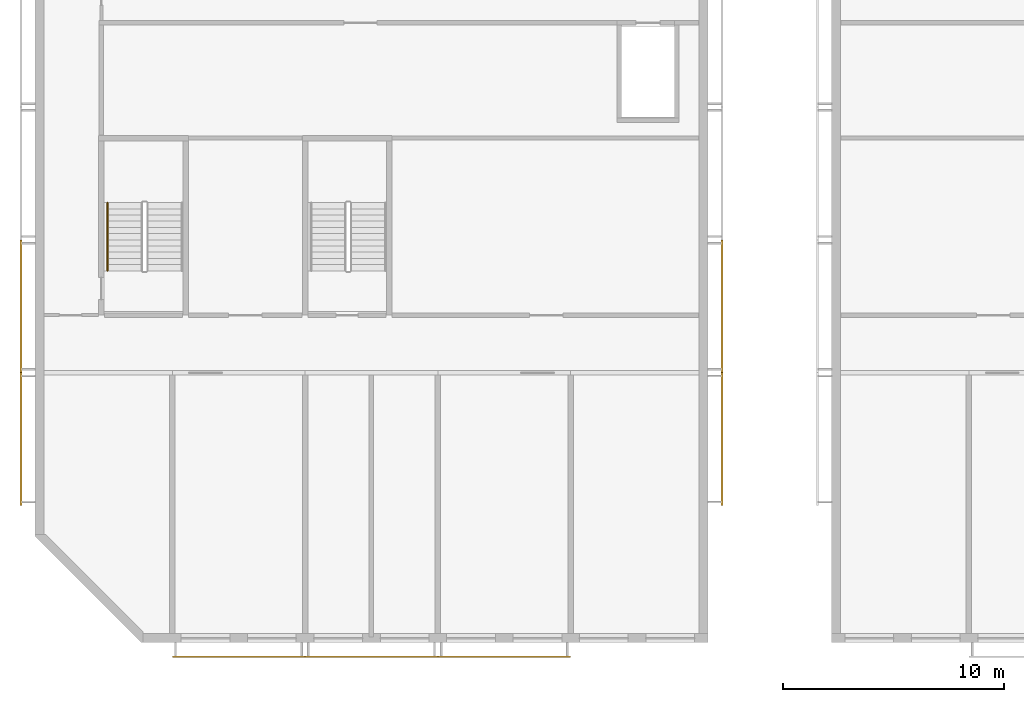
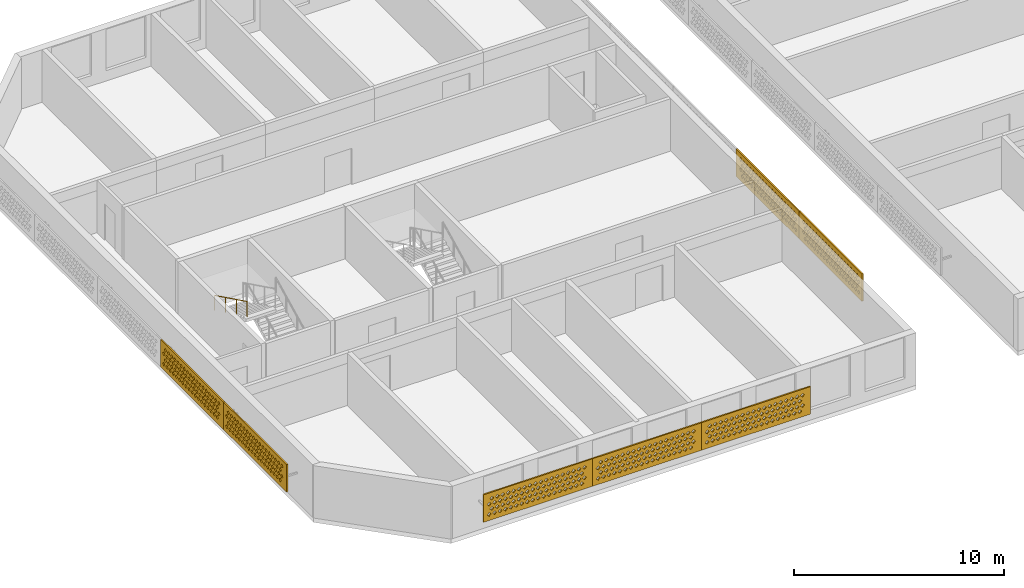
# One storey, part 7 of 18: 7 coverings, 1 railing.
"""IFC4 building model written with IfcOpenShell, lengths in metres."""

from ifc_helpers import new_model, si_unit, direction, frame, origin, origin_2d, place, context, subcontext, project, spatial, polyline, circle, outline, extrude, source, transform, mapped, material, material_profile, profile_set, type_object, element, save


model = new_model("IFC4")

# Units and contexts
model_context = context("Model", 3, precision=1e-05, world=origin(), true_north=direction((0.0, 1.0)))
body_context = subcontext(model_context, "Body", "Model", "MODEL_VIEW")
ifc_project = project(units=[si_unit("LENGTHUNIT", "METRE"), si_unit("AREAUNIT", "SQUARE_METRE"), si_unit("VOLUMEUNIT", "CUBIC_METRE"), si_unit("PLANEANGLEUNIT", "RADIAN"), si_unit("MASSUNIT", "GRAM", prefix="KILO")], contexts=[model_context])

# Site, building, storey
site_placement = place(None, origin())
site = spatial("IfcSite", under=ifc_project, at=site_placement, CompositionType="ELEMENT")
building_placement = place(site_placement, origin())
building = spatial("IfcBuilding", under=site, at=building_placement, Name="Poui Terraces", CompositionType="ELEMENT")
storey_placement = place(building_placement, frame((0.0, 0.0, 275.699951171875)))
storey = spatial("IfcBuildingStorey", under=building, at=storey_placement, Name="L76 CROWN", CompositionType="ELEMENT", Elevation=275.699951171875)

# Railing
ifc_material_1 = material(Name="Stainless steel handrail", Category="steel")
railing_type = type_object("IfcRailingType", Name="STAIR HANDRAIL 900", PredefinedType="HANDRAIL", material=ifc_material_1)
railing_placement = place(storey_placement, frame((21.074951171875, 19.679931640625, 1.78759765625)))
element("IfcRailing", 1, at=railing_placement, inside=storey, type_object=railing_type, Name="L76 CROWN ST-W stair handrail 2", PredefinedType="HANDRAIL", context=body_context, shape_type="SweptSolid", body=[
    extrude(circle(Radius=0.02392578125, at=origin_2d()), frame((0.0, 0.0, 0.8759765625), z_axis=(0.0, -0.897606190399, 0.440798283751), x_axis=(1.0, 0.0, 0.0)), (0.0, 0.0, 1.0), 3.43115234375),
    extrude(circle(Radius=0.02099609375, at=origin_2d()), origin(), (0.0, 0.0, 1.0), 0.851806640625),
    extrude(circle(Radius=0.02099609375, at=origin_2d()), frame((0.0, -1.026611328125, 0.504150390625)), (0.0, 0.0, 1.0), 0.851806640625),
    extrude(circle(Radius=0.02099609375, at=origin_2d()), frame((0.0, -2.05322265625, 1.00830078125)), (0.0, 0.0, 1.0), 0.851806640625),
    extrude(circle(Radius=0.02099609375, at=origin_2d()), frame((0.0, -3.079833984375, 1.512451171875)), (0.0, 0.0, 1.0), 0.851806640625),
])

# Coverings
ifc_material_2 = material(Name="Terracotta screen", Category="masonry")
ifc_material_profile = material_profile(ifc_material_2, outline(polyline([(-3.0, -0.800048828125), (3.0, -0.800048828125), (3.0, 0.800048828125), (-3.0, 0.800048828125), (-3.0, -0.800048828125)]), holes=[polyline([(-2.800048828125, -0.449951171875), (-2.68994140625, -0.56005859375), (-2.580078125, -0.449951171875), (-2.68994140625, -0.340087890625), (-2.800048828125, -0.449951171875)]), polyline([(-2.5, -0.449951171875), (-2.389892578125, -0.56005859375), (-2.280029296875, -0.449951171875), (-2.389892578125, -0.340087890625), (-2.5, -0.449951171875)]), polyline([(-2.199951171875, -0.449951171875), (-2.090087890625, -0.56005859375), (-1.97998046875, -0.449951171875), (-2.090087890625, -0.340087890625), (-2.199951171875, -0.449951171875)]), polyline([(-1.89990234375, -0.449951171875), (-1.7900390625, -0.56005859375), (-1.679931640625, -0.449951171875), (-1.7900390625, -0.340087890625), (-1.89990234375, -0.449951171875)]), polyline([(-1.60009765625, -0.449951171875), (-1.489990234375, -0.56005859375), (-1.3798828125, -0.449951171875), (-1.489990234375, -0.340087890625), (-1.60009765625, -0.449951171875)]), polyline([(-1.300048828125, -0.449951171875), (-1.18994140625, -0.56005859375), (-1.080078125, -0.449951171875), (-1.18994140625, -0.340087890625), (-1.300048828125, -0.449951171875)]), polyline([(-1.0, -0.449951171875), (-0.889892578125, -0.56005859375), (-0.780029296875, -0.449951171875), (-0.889892578125, -0.340087890625), (-1.0, -0.449951171875)]), polyline([(-0.699951171875, -0.449951171875), (-0.590087890625, -0.56005859375), (-0.47998046875, -0.449951171875), (-0.590087890625, -0.340087890625), (-0.699951171875, -0.449951171875)]), polyline([(-0.39990234375, -0.449951171875), (-0.2900390625, -0.56005859375), (-0.179931640625, -0.449951171875), (-0.2900390625, -0.340087890625), (-0.39990234375, -0.449951171875)]), polyline([(-0.10009765625, -0.449951171875), (0.010009765625, -0.56005859375), (0.1201171875, -0.449951171875), (0.010009765625, -0.340087890625), (-0.10009765625, -0.449951171875)]), polyline([(0.199951171875, -0.449951171875), (0.31005859375, -0.56005859375), (0.419921875, -0.449951171875), (0.31005859375, -0.340087890625), (0.199951171875, -0.449951171875)]), polyline([(0.5, -0.449951171875), (0.610107421875, -0.56005859375), (0.719970703125, -0.449951171875), (0.610107421875, -0.340087890625), (0.5, -0.449951171875)]), polyline([(0.800048828125, -0.449951171875), (0.909912109375, -0.56005859375), (1.02001953125, -0.449951171875), (0.909912109375, -0.340087890625), (0.800048828125, -0.449951171875)]), polyline([(1.10009765625, -0.449951171875), (1.2099609375, -0.56005859375), (1.320068359375, -0.449951171875), (1.2099609375, -0.340087890625), (1.10009765625, -0.449951171875)]), polyline([(1.39990234375, -0.449951171875), (1.510009765625, -0.56005859375), (1.6201171875, -0.449951171875), (1.510009765625, -0.340087890625), (1.39990234375, -0.449951171875)]), polyline([(1.699951171875, -0.449951171875), (1.81005859375, -0.56005859375), (1.919921875, -0.449951171875), (1.81005859375, -0.340087890625), (1.699951171875, -0.449951171875)]), polyline([(2.0, -0.449951171875), (2.110107421875, -0.56005859375), (2.219970703125, -0.449951171875), (2.110107421875, -0.340087890625), (2.0, -0.449951171875)]), polyline([(2.300048828125, -0.449951171875), (2.409912109375, -0.56005859375), (2.52001953125, -0.449951171875), (2.409912109375, -0.340087890625), (2.300048828125, -0.449951171875)]), polyline([(-2.64990234375, -0.14990234375), (-2.5400390625, -0.260009765625), (-2.429931640625, -0.14990234375), (-2.5400390625, -0.0400390625), (-2.64990234375, -0.14990234375)]), polyline([(-2.35009765625, -0.14990234375), (-2.239990234375, -0.260009765625), (-2.1298828125, -0.14990234375), (-2.239990234375, -0.0400390625), (-2.35009765625, -0.14990234375)]), polyline([(-2.050048828125, -0.14990234375), (-1.93994140625, -0.260009765625), (-1.830078125, -0.14990234375), (-1.93994140625, -0.0400390625), (-2.050048828125, -0.14990234375)]), polyline([(-1.75, -0.14990234375), (-1.639892578125, -0.260009765625), (-1.530029296875, -0.14990234375), (-1.639892578125, -0.0400390625), (-1.75, -0.14990234375)]), polyline([(-1.449951171875, -0.14990234375), (-1.340087890625, -0.260009765625), (-1.22998046875, -0.14990234375), (-1.340087890625, -0.0400390625), (-1.449951171875, -0.14990234375)]), polyline([(-1.14990234375, -0.14990234375), (-1.0400390625, -0.260009765625), (-0.929931640625, -0.14990234375), (-1.0400390625, -0.0400390625), (-1.14990234375, -0.14990234375)]), polyline([(-0.85009765625, -0.14990234375), (-0.739990234375, -0.260009765625), (-0.6298828125, -0.14990234375), (-0.739990234375, -0.0400390625), (-0.85009765625, -0.14990234375)]), polyline([(-0.550048828125, -0.14990234375), (-0.43994140625, -0.260009765625), (-0.330078125, -0.14990234375), (-0.43994140625, -0.0400390625), (-0.550048828125, -0.14990234375)]), polyline([(-0.25, -0.14990234375), (-0.139892578125, -0.260009765625), (-0.030029296875, -0.14990234375), (-0.139892578125, -0.0400390625), (-0.25, -0.14990234375)]), polyline([(0.050048828125, -0.14990234375), (0.159912109375, -0.260009765625), (0.27001953125, -0.14990234375), (0.159912109375, -0.0400390625), (0.050048828125, -0.14990234375)]), polyline([(0.35009765625, -0.14990234375), (0.4599609375, -0.260009765625), (0.570068359375, -0.14990234375), (0.4599609375, -0.0400390625), (0.35009765625, -0.14990234375)]), polyline([(0.64990234375, -0.14990234375), (0.760009765625, -0.260009765625), (0.8701171875, -0.14990234375), (0.760009765625, -0.0400390625), (0.64990234375, -0.14990234375)]), polyline([(0.949951171875, -0.14990234375), (1.06005859375, -0.260009765625), (1.169921875, -0.14990234375), (1.06005859375, -0.0400390625), (0.949951171875, -0.14990234375)]), polyline([(1.25, -0.14990234375), (1.360107421875, -0.260009765625), (1.469970703125, -0.14990234375), (1.360107421875, -0.0400390625), (1.25, -0.14990234375)]), polyline([(1.550048828125, -0.14990234375), (1.659912109375, -0.260009765625), (1.77001953125, -0.14990234375), (1.659912109375, -0.0400390625), (1.550048828125, -0.14990234375)]), polyline([(1.85009765625, -0.14990234375), (1.9599609375, -0.260009765625), (2.070068359375, -0.14990234375), (1.9599609375, -0.0400390625), (1.85009765625, -0.14990234375)]), polyline([(2.14990234375, -0.14990234375), (2.260009765625, -0.260009765625), (2.3701171875, -0.14990234375), (2.260009765625, -0.0400390625), (2.14990234375, -0.14990234375)]), polyline([(2.449951171875, -0.14990234375), (2.56005859375, -0.260009765625), (2.669921875, -0.14990234375), (2.56005859375, -0.0400390625), (2.449951171875, -0.14990234375)]), polyline([(-2.800048828125, 0.14990234375), (-2.68994140625, 0.0400390625), (-2.580078125, 0.14990234375), (-2.68994140625, 0.260009765625), (-2.800048828125, 0.14990234375)]), polyline([(-2.5, 0.14990234375), (-2.389892578125, 0.0400390625), (-2.280029296875, 0.14990234375), (-2.389892578125, 0.260009765625), (-2.5, 0.14990234375)]), polyline([(-2.199951171875, 0.14990234375), (-2.090087890625, 0.0400390625), (-1.97998046875, 0.14990234375), (-2.090087890625, 0.260009765625), (-2.199951171875, 0.14990234375)]), polyline([(-1.89990234375, 0.14990234375), (-1.7900390625, 0.0400390625), (-1.679931640625, 0.14990234375), (-1.7900390625, 0.260009765625), (-1.89990234375, 0.14990234375)]), polyline([(-1.60009765625, 0.14990234375), (-1.489990234375, 0.0400390625), (-1.3798828125, 0.14990234375), (-1.489990234375, 0.260009765625), (-1.60009765625, 0.14990234375)]), polyline([(-1.300048828125, 0.14990234375), (-1.18994140625, 0.0400390625), (-1.080078125, 0.14990234375), (-1.18994140625, 0.260009765625), (-1.300048828125, 0.14990234375)]), polyline([(-1.0, 0.14990234375), (-0.889892578125, 0.0400390625), (-0.780029296875, 0.14990234375), (-0.889892578125, 0.260009765625), (-1.0, 0.14990234375)]), polyline([(-0.699951171875, 0.14990234375), (-0.590087890625, 0.0400390625), (-0.47998046875, 0.14990234375), (-0.590087890625, 0.260009765625), (-0.699951171875, 0.14990234375)]), polyline([(-0.39990234375, 0.14990234375), (-0.2900390625, 0.0400390625), (-0.179931640625, 0.14990234375), (-0.2900390625, 0.260009765625), (-0.39990234375, 0.14990234375)]), polyline([(-0.10009765625, 0.14990234375), (0.010009765625, 0.0400390625), (0.1201171875, 0.14990234375), (0.010009765625, 0.260009765625), (-0.10009765625, 0.14990234375)]), polyline([(0.199951171875, 0.14990234375), (0.31005859375, 0.0400390625), (0.419921875, 0.14990234375), (0.31005859375, 0.260009765625), (0.199951171875, 0.14990234375)]), polyline([(0.5, 0.14990234375), (0.610107421875, 0.0400390625), (0.719970703125, 0.14990234375), (0.610107421875, 0.260009765625), (0.5, 0.14990234375)]), polyline([(0.800048828125, 0.14990234375), (0.909912109375, 0.0400390625), (1.02001953125, 0.14990234375), (0.909912109375, 0.260009765625), (0.800048828125, 0.14990234375)]), polyline([(1.10009765625, 0.14990234375), (1.2099609375, 0.0400390625), (1.320068359375, 0.14990234375), (1.2099609375, 0.260009765625), (1.10009765625, 0.14990234375)]), polyline([(1.39990234375, 0.14990234375), (1.510009765625, 0.0400390625), (1.6201171875, 0.14990234375), (1.510009765625, 0.260009765625), (1.39990234375, 0.14990234375)]), polyline([(1.699951171875, 0.14990234375), (1.81005859375, 0.0400390625), (1.919921875, 0.14990234375), (1.81005859375, 0.260009765625), (1.699951171875, 0.14990234375)]), polyline([(2.0, 0.14990234375), (2.110107421875, 0.0400390625), (2.219970703125, 0.14990234375), (2.110107421875, 0.260009765625), (2.0, 0.14990234375)]), polyline([(2.300048828125, 0.14990234375), (2.409912109375, 0.0400390625), (2.52001953125, 0.14990234375), (2.409912109375, 0.260009765625), (2.300048828125, 0.14990234375)]), polyline([(-2.64990234375, 0.449951171875), (-2.5400390625, 0.340087890625), (-2.429931640625, 0.449951171875), (-2.5400390625, 0.56005859375), (-2.64990234375, 0.449951171875)]), polyline([(-2.35009765625, 0.449951171875), (-2.239990234375, 0.340087890625), (-2.1298828125, 0.449951171875), (-2.239990234375, 0.56005859375), (-2.35009765625, 0.449951171875)]), polyline([(-2.050048828125, 0.449951171875), (-1.93994140625, 0.340087890625), (-1.830078125, 0.449951171875), (-1.93994140625, 0.56005859375), (-2.050048828125, 0.449951171875)]), polyline([(-1.75, 0.449951171875), (-1.639892578125, 0.340087890625), (-1.530029296875, 0.449951171875), (-1.639892578125, 0.56005859375), (-1.75, 0.449951171875)]), polyline([(-1.449951171875, 0.449951171875), (-1.340087890625, 0.340087890625), (-1.22998046875, 0.449951171875), (-1.340087890625, 0.56005859375), (-1.449951171875, 0.449951171875)]), polyline([(-1.14990234375, 0.449951171875), (-1.0400390625, 0.340087890625), (-0.929931640625, 0.449951171875), (-1.0400390625, 0.56005859375), (-1.14990234375, 0.449951171875)]), polyline([(-0.85009765625, 0.449951171875), (-0.739990234375, 0.340087890625), (-0.6298828125, 0.449951171875), (-0.739990234375, 0.56005859375), (-0.85009765625, 0.449951171875)]), polyline([(-0.550048828125, 0.449951171875), (-0.43994140625, 0.340087890625), (-0.330078125, 0.449951171875), (-0.43994140625, 0.56005859375), (-0.550048828125, 0.449951171875)]), polyline([(-0.25, 0.449951171875), (-0.139892578125, 0.340087890625), (-0.030029296875, 0.449951171875), (-0.139892578125, 0.56005859375), (-0.25, 0.449951171875)]), polyline([(0.050048828125, 0.449951171875), (0.159912109375, 0.340087890625), (0.27001953125, 0.449951171875), (0.159912109375, 0.56005859375), (0.050048828125, 0.449951171875)]), polyline([(0.35009765625, 0.449951171875), (0.4599609375, 0.340087890625), (0.570068359375, 0.449951171875), (0.4599609375, 0.56005859375), (0.35009765625, 0.449951171875)]), polyline([(0.64990234375, 0.449951171875), (0.760009765625, 0.340087890625), (0.8701171875, 0.449951171875), (0.760009765625, 0.56005859375), (0.64990234375, 0.449951171875)]), polyline([(0.949951171875, 0.449951171875), (1.06005859375, 0.340087890625), (1.169921875, 0.449951171875), (1.06005859375, 0.56005859375), (0.949951171875, 0.449951171875)]), polyline([(1.25, 0.449951171875), (1.360107421875, 0.340087890625), (1.469970703125, 0.449951171875), (1.360107421875, 0.56005859375), (1.25, 0.449951171875)]), polyline([(1.550048828125, 0.449951171875), (1.659912109375, 0.340087890625), (1.77001953125, 0.449951171875), (1.659912109375, 0.56005859375), (1.550048828125, 0.449951171875)]), polyline([(1.85009765625, 0.449951171875), (1.9599609375, 0.340087890625), (2.070068359375, 0.449951171875), (1.9599609375, 0.56005859375), (1.85009765625, 0.449951171875)]), polyline([(2.14990234375, 0.449951171875), (2.260009765625, 0.340087890625), (2.3701171875, 0.449951171875), (2.260009765625, 0.56005859375), (2.14990234375, 0.449951171875)]), polyline([(2.449951171875, 0.449951171875), (2.56005859375, 0.340087890625), (2.669921875, 0.449951171875), (2.56005859375, 0.56005859375), (2.449951171875, 0.449951171875)])]), Name="TERRACOTTA SOLAR SCREEN 6000X1600")
ifc_profile_set = profile_set([ifc_material_profile], Name="Terracotta screen")
covering_type = type_object("IfcCoveringType", Name="TERRACOTTA SOLAR SCREEN 6000X1600", PredefinedType="CLADDING", material=ifc_profile_set)
shared_shape = source(origin(), body_context, "Body", "SweptSolid", [
    extrude(outline(polyline([(-3.0, -0.800048828125), (3.0, -0.800048828125), (3.0, 0.800048828125), (-3.0, 0.800048828125), (-3.0, -0.800048828125)]), holes=[polyline([(-2.800048828125, -0.449951171875), (-2.68994140625, -0.56005859375), (-2.580078125, -0.449951171875), (-2.68994140625, -0.340087890625), (-2.800048828125, -0.449951171875)]), polyline([(-2.5, -0.449951171875), (-2.389892578125, -0.56005859375), (-2.280029296875, -0.449951171875), (-2.389892578125, -0.340087890625), (-2.5, -0.449951171875)]), polyline([(-2.199951171875, -0.449951171875), (-2.090087890625, -0.56005859375), (-1.97998046875, -0.449951171875), (-2.090087890625, -0.340087890625), (-2.199951171875, -0.449951171875)]), polyline([(-1.89990234375, -0.449951171875), (-1.7900390625, -0.56005859375), (-1.679931640625, -0.449951171875), (-1.7900390625, -0.340087890625), (-1.89990234375, -0.449951171875)]), polyline([(-1.60009765625, -0.449951171875), (-1.489990234375, -0.56005859375), (-1.3798828125, -0.449951171875), (-1.489990234375, -0.340087890625), (-1.60009765625, -0.449951171875)]), polyline([(-1.300048828125, -0.449951171875), (-1.18994140625, -0.56005859375), (-1.080078125, -0.449951171875), (-1.18994140625, -0.340087890625), (-1.300048828125, -0.449951171875)]), polyline([(-1.0, -0.449951171875), (-0.889892578125, -0.56005859375), (-0.780029296875, -0.449951171875), (-0.889892578125, -0.340087890625), (-1.0, -0.449951171875)]), polyline([(-0.699951171875, -0.449951171875), (-0.590087890625, -0.56005859375), (-0.47998046875, -0.449951171875), (-0.590087890625, -0.340087890625), (-0.699951171875, -0.449951171875)]), polyline([(-0.39990234375, -0.449951171875), (-0.2900390625, -0.56005859375), (-0.179931640625, -0.449951171875), (-0.2900390625, -0.340087890625), (-0.39990234375, -0.449951171875)]), polyline([(-0.10009765625, -0.449951171875), (0.010009765625, -0.56005859375), (0.1201171875, -0.449951171875), (0.010009765625, -0.340087890625), (-0.10009765625, -0.449951171875)]), polyline([(0.199951171875, -0.449951171875), (0.31005859375, -0.56005859375), (0.419921875, -0.449951171875), (0.31005859375, -0.340087890625), (0.199951171875, -0.449951171875)]), polyline([(0.5, -0.449951171875), (0.610107421875, -0.56005859375), (0.719970703125, -0.449951171875), (0.610107421875, -0.340087890625), (0.5, -0.449951171875)]), polyline([(0.800048828125, -0.449951171875), (0.909912109375, -0.56005859375), (1.02001953125, -0.449951171875), (0.909912109375, -0.340087890625), (0.800048828125, -0.449951171875)]), polyline([(1.10009765625, -0.449951171875), (1.2099609375, -0.56005859375), (1.320068359375, -0.449951171875), (1.2099609375, -0.340087890625), (1.10009765625, -0.449951171875)]), polyline([(1.39990234375, -0.449951171875), (1.510009765625, -0.56005859375), (1.6201171875, -0.449951171875), (1.510009765625, -0.340087890625), (1.39990234375, -0.449951171875)]), polyline([(1.699951171875, -0.449951171875), (1.81005859375, -0.56005859375), (1.919921875, -0.449951171875), (1.81005859375, -0.340087890625), (1.699951171875, -0.449951171875)]), polyline([(2.0, -0.449951171875), (2.110107421875, -0.56005859375), (2.219970703125, -0.449951171875), (2.110107421875, -0.340087890625), (2.0, -0.449951171875)]), polyline([(2.300048828125, -0.449951171875), (2.409912109375, -0.56005859375), (2.52001953125, -0.449951171875), (2.409912109375, -0.340087890625), (2.300048828125, -0.449951171875)]), polyline([(-2.64990234375, -0.14990234375), (-2.5400390625, -0.260009765625), (-2.429931640625, -0.14990234375), (-2.5400390625, -0.0400390625), (-2.64990234375, -0.14990234375)]), polyline([(-2.35009765625, -0.14990234375), (-2.239990234375, -0.260009765625), (-2.1298828125, -0.14990234375), (-2.239990234375, -0.0400390625), (-2.35009765625, -0.14990234375)]), polyline([(-2.050048828125, -0.14990234375), (-1.93994140625, -0.260009765625), (-1.830078125, -0.14990234375), (-1.93994140625, -0.0400390625), (-2.050048828125, -0.14990234375)]), polyline([(-1.75, -0.14990234375), (-1.639892578125, -0.260009765625), (-1.530029296875, -0.14990234375), (-1.639892578125, -0.0400390625), (-1.75, -0.14990234375)]), polyline([(-1.449951171875, -0.14990234375), (-1.340087890625, -0.260009765625), (-1.22998046875, -0.14990234375), (-1.340087890625, -0.0400390625), (-1.449951171875, -0.14990234375)]), polyline([(-1.14990234375, -0.14990234375), (-1.0400390625, -0.260009765625), (-0.929931640625, -0.14990234375), (-1.0400390625, -0.0400390625), (-1.14990234375, -0.14990234375)]), polyline([(-0.85009765625, -0.14990234375), (-0.739990234375, -0.260009765625), (-0.6298828125, -0.14990234375), (-0.739990234375, -0.0400390625), (-0.85009765625, -0.14990234375)]), polyline([(-0.550048828125, -0.14990234375), (-0.43994140625, -0.260009765625), (-0.330078125, -0.14990234375), (-0.43994140625, -0.0400390625), (-0.550048828125, -0.14990234375)]), polyline([(-0.25, -0.14990234375), (-0.139892578125, -0.260009765625), (-0.030029296875, -0.14990234375), (-0.139892578125, -0.0400390625), (-0.25, -0.14990234375)]), polyline([(0.050048828125, -0.14990234375), (0.159912109375, -0.260009765625), (0.27001953125, -0.14990234375), (0.159912109375, -0.0400390625), (0.050048828125, -0.14990234375)]), polyline([(0.35009765625, -0.14990234375), (0.4599609375, -0.260009765625), (0.570068359375, -0.14990234375), (0.4599609375, -0.0400390625), (0.35009765625, -0.14990234375)]), polyline([(0.64990234375, -0.14990234375), (0.760009765625, -0.260009765625), (0.8701171875, -0.14990234375), (0.760009765625, -0.0400390625), (0.64990234375, -0.14990234375)]), polyline([(0.949951171875, -0.14990234375), (1.06005859375, -0.260009765625), (1.169921875, -0.14990234375), (1.06005859375, -0.0400390625), (0.949951171875, -0.14990234375)]), polyline([(1.25, -0.14990234375), (1.360107421875, -0.260009765625), (1.469970703125, -0.14990234375), (1.360107421875, -0.0400390625), (1.25, -0.14990234375)]), polyline([(1.550048828125, -0.14990234375), (1.659912109375, -0.260009765625), (1.77001953125, -0.14990234375), (1.659912109375, -0.0400390625), (1.550048828125, -0.14990234375)]), polyline([(1.85009765625, -0.14990234375), (1.9599609375, -0.260009765625), (2.070068359375, -0.14990234375), (1.9599609375, -0.0400390625), (1.85009765625, -0.14990234375)]), polyline([(2.14990234375, -0.14990234375), (2.260009765625, -0.260009765625), (2.3701171875, -0.14990234375), (2.260009765625, -0.0400390625), (2.14990234375, -0.14990234375)]), polyline([(2.449951171875, -0.14990234375), (2.56005859375, -0.260009765625), (2.669921875, -0.14990234375), (2.56005859375, -0.0400390625), (2.449951171875, -0.14990234375)]), polyline([(-2.800048828125, 0.14990234375), (-2.68994140625, 0.0400390625), (-2.580078125, 0.14990234375), (-2.68994140625, 0.260009765625), (-2.800048828125, 0.14990234375)]), polyline([(-2.5, 0.14990234375), (-2.389892578125, 0.0400390625), (-2.280029296875, 0.14990234375), (-2.389892578125, 0.260009765625), (-2.5, 0.14990234375)]), polyline([(-2.199951171875, 0.14990234375), (-2.090087890625, 0.0400390625), (-1.97998046875, 0.14990234375), (-2.090087890625, 0.260009765625), (-2.199951171875, 0.14990234375)]), polyline([(-1.89990234375, 0.14990234375), (-1.7900390625, 0.0400390625), (-1.679931640625, 0.14990234375), (-1.7900390625, 0.260009765625), (-1.89990234375, 0.14990234375)]), polyline([(-1.60009765625, 0.14990234375), (-1.489990234375, 0.0400390625), (-1.3798828125, 0.14990234375), (-1.489990234375, 0.260009765625), (-1.60009765625, 0.14990234375)]), polyline([(-1.300048828125, 0.14990234375), (-1.18994140625, 0.0400390625), (-1.080078125, 0.14990234375), (-1.18994140625, 0.260009765625), (-1.300048828125, 0.14990234375)]), polyline([(-1.0, 0.14990234375), (-0.889892578125, 0.0400390625), (-0.780029296875, 0.14990234375), (-0.889892578125, 0.260009765625), (-1.0, 0.14990234375)]), polyline([(-0.699951171875, 0.14990234375), (-0.590087890625, 0.0400390625), (-0.47998046875, 0.14990234375), (-0.590087890625, 0.260009765625), (-0.699951171875, 0.14990234375)]), polyline([(-0.39990234375, 0.14990234375), (-0.2900390625, 0.0400390625), (-0.179931640625, 0.14990234375), (-0.2900390625, 0.260009765625), (-0.39990234375, 0.14990234375)]), polyline([(-0.10009765625, 0.14990234375), (0.010009765625, 0.0400390625), (0.1201171875, 0.14990234375), (0.010009765625, 0.260009765625), (-0.10009765625, 0.14990234375)]), polyline([(0.199951171875, 0.14990234375), (0.31005859375, 0.0400390625), (0.419921875, 0.14990234375), (0.31005859375, 0.260009765625), (0.199951171875, 0.14990234375)]), polyline([(0.5, 0.14990234375), (0.610107421875, 0.0400390625), (0.719970703125, 0.14990234375), (0.610107421875, 0.260009765625), (0.5, 0.14990234375)]), polyline([(0.800048828125, 0.14990234375), (0.909912109375, 0.0400390625), (1.02001953125, 0.14990234375), (0.909912109375, 0.260009765625), (0.800048828125, 0.14990234375)]), polyline([(1.10009765625, 0.14990234375), (1.2099609375, 0.0400390625), (1.320068359375, 0.14990234375), (1.2099609375, 0.260009765625), (1.10009765625, 0.14990234375)]), polyline([(1.39990234375, 0.14990234375), (1.510009765625, 0.0400390625), (1.6201171875, 0.14990234375), (1.510009765625, 0.260009765625), (1.39990234375, 0.14990234375)]), polyline([(1.699951171875, 0.14990234375), (1.81005859375, 0.0400390625), (1.919921875, 0.14990234375), (1.81005859375, 0.260009765625), (1.699951171875, 0.14990234375)]), polyline([(2.0, 0.14990234375), (2.110107421875, 0.0400390625), (2.219970703125, 0.14990234375), (2.110107421875, 0.260009765625), (2.0, 0.14990234375)]), polyline([(2.300048828125, 0.14990234375), (2.409912109375, 0.0400390625), (2.52001953125, 0.14990234375), (2.409912109375, 0.260009765625), (2.300048828125, 0.14990234375)]), polyline([(-2.64990234375, 0.449951171875), (-2.5400390625, 0.340087890625), (-2.429931640625, 0.449951171875), (-2.5400390625, 0.56005859375), (-2.64990234375, 0.449951171875)]), polyline([(-2.35009765625, 0.449951171875), (-2.239990234375, 0.340087890625), (-2.1298828125, 0.449951171875), (-2.239990234375, 0.56005859375), (-2.35009765625, 0.449951171875)]), polyline([(-2.050048828125, 0.449951171875), (-1.93994140625, 0.340087890625), (-1.830078125, 0.449951171875), (-1.93994140625, 0.56005859375), (-2.050048828125, 0.449951171875)]), polyline([(-1.75, 0.449951171875), (-1.639892578125, 0.340087890625), (-1.530029296875, 0.449951171875), (-1.639892578125, 0.56005859375), (-1.75, 0.449951171875)]), polyline([(-1.449951171875, 0.449951171875), (-1.340087890625, 0.340087890625), (-1.22998046875, 0.449951171875), (-1.340087890625, 0.56005859375), (-1.449951171875, 0.449951171875)]), polyline([(-1.14990234375, 0.449951171875), (-1.0400390625, 0.340087890625), (-0.929931640625, 0.449951171875), (-1.0400390625, 0.56005859375), (-1.14990234375, 0.449951171875)]), polyline([(-0.85009765625, 0.449951171875), (-0.739990234375, 0.340087890625), (-0.6298828125, 0.449951171875), (-0.739990234375, 0.56005859375), (-0.85009765625, 0.449951171875)]), polyline([(-0.550048828125, 0.449951171875), (-0.43994140625, 0.340087890625), (-0.330078125, 0.449951171875), (-0.43994140625, 0.56005859375), (-0.550048828125, 0.449951171875)]), polyline([(-0.25, 0.449951171875), (-0.139892578125, 0.340087890625), (-0.030029296875, 0.449951171875), (-0.139892578125, 0.56005859375), (-0.25, 0.449951171875)]), polyline([(0.050048828125, 0.449951171875), (0.159912109375, 0.340087890625), (0.27001953125, 0.449951171875), (0.159912109375, 0.56005859375), (0.050048828125, 0.449951171875)]), polyline([(0.35009765625, 0.449951171875), (0.4599609375, 0.340087890625), (0.570068359375, 0.449951171875), (0.4599609375, 0.56005859375), (0.35009765625, 0.449951171875)]), polyline([(0.64990234375, 0.449951171875), (0.760009765625, 0.340087890625), (0.8701171875, 0.449951171875), (0.760009765625, 0.56005859375), (0.64990234375, 0.449951171875)]), polyline([(0.949951171875, 0.449951171875), (1.06005859375, 0.340087890625), (1.169921875, 0.449951171875), (1.06005859375, 0.56005859375), (0.949951171875, 0.449951171875)]), polyline([(1.25, 0.449951171875), (1.360107421875, 0.340087890625), (1.469970703125, 0.449951171875), (1.360107421875, 0.56005859375), (1.25, 0.449951171875)]), polyline([(1.550048828125, 0.449951171875), (1.659912109375, 0.340087890625), (1.77001953125, 0.449951171875), (1.659912109375, 0.56005859375), (1.550048828125, 0.449951171875)]), polyline([(1.85009765625, 0.449951171875), (1.9599609375, 0.340087890625), (2.070068359375, 0.449951171875), (1.9599609375, 0.56005859375), (1.85009765625, 0.449951171875)]), polyline([(2.14990234375, 0.449951171875), (2.260009765625, 0.340087890625), (2.3701171875, 0.449951171875), (2.260009765625, 0.56005859375), (2.14990234375, 0.449951171875)]), polyline([(2.449951171875, 0.449951171875), (2.56005859375, 0.340087890625), (2.669921875, 0.449951171875), (2.56005859375, 0.56005859375), (2.449951171875, 0.449951171875)])]), origin(), (0.0, 0.0, 1.0), 0.079833984375),
])
for number, where, z_axis, x_axis, name in (
    (2, (27.0, -0.800048828125, 1.699951171875), (0.0, -1.0, 0.0), (1.0, 0.0, 0.0), "SOLAR SCREEN"),
    (3, (33.0, -0.800048828125, 1.699951171875), (0.0, -1.0, 0.0), (1.0, 0.0, 0.0), "SOLAR SCREEN"),
    (4, (39.0, -0.800048828125, 1.699951171875), (0.0, -1.0, 0.0), (1.0, 0.0, 0.0), "SOLAR SCREEN"),
    (5, (48.800048828125, 9.0, 1.699951171875), (1.0, 0.0, 0.0), (0.0, 1.0, 0.0), "SOLAR SCREEN"),
    (6, (48.800048828125, 15.0, 1.699951171875), (1.0, 0.0, 0.0), (0.0, 1.0, 0.0), "SOLAR SCREEN"),
    (7, (17.199951171875, 9.0, 1.699951171875), (-1.0, 0.0, 0.0), (0.0, -1.0, 0.0), "SOLAR SCREEN"),
    (8, (17.199951171875, 15.0, 1.699951171875), (-1.0, 0.0, 0.0), (0.0, -1.0, 0.0), "SOLAR SCREEN"),
):
    element("IfcCovering", number, at=place(storey_placement, frame(where, z_axis=z_axis, x_axis=x_axis)), inside=storey, type_object=covering_type, Name=name, PredefinedType="CLADDING", context=body_context, shape_type="MappedRepresentation", body=[
        mapped(shared_shape, transform((0.0, 0.0, 0.0))),
    ])

save(model, "model.ifc")
